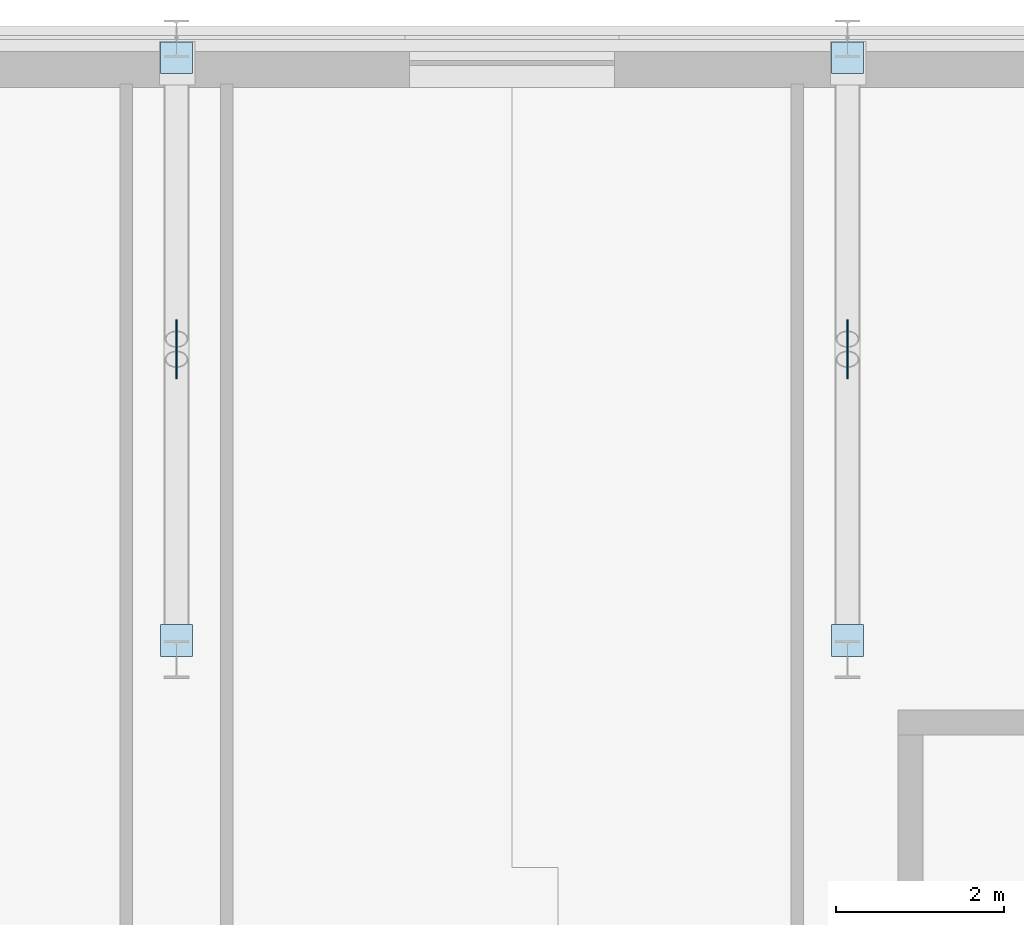
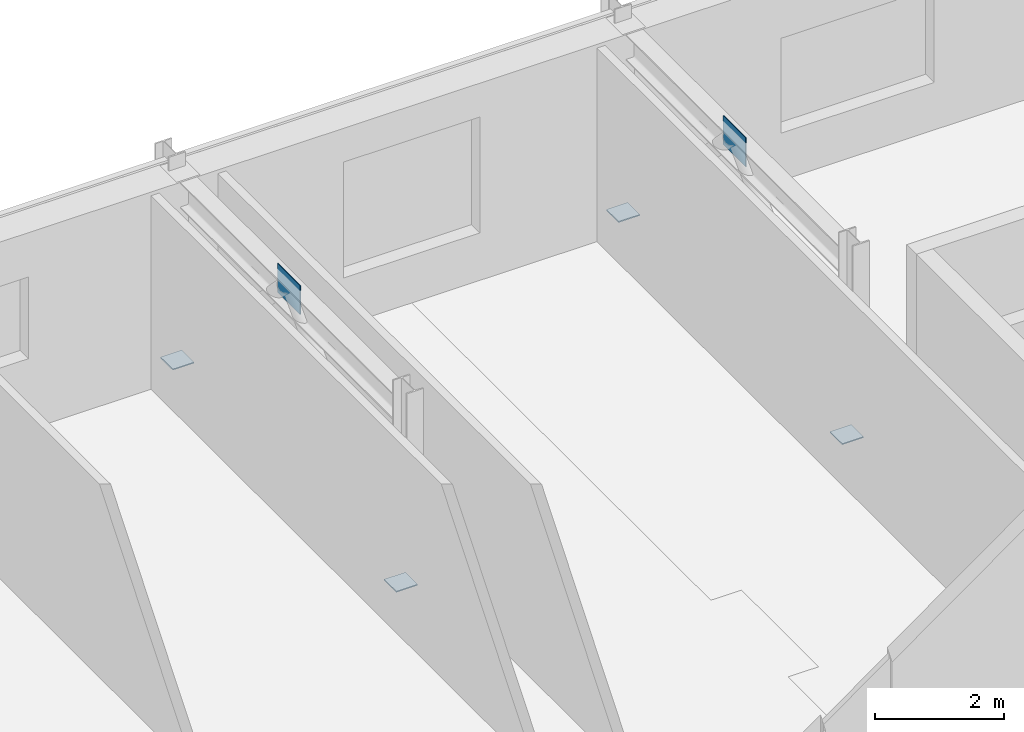
# One storey, part 36 of 56: 6 plates.
"""IFC4 building model written with IfcOpenShell, lengths in metres."""

from ifc_helpers import new_model, si_unit, direction, frame, origin, origin_2d, place, context, subcontext, project, spatial, rectangle, extrude, material, layer, layer_set, type_object, element, save


model = new_model("IFC4")

# Units and contexts
model_context = context("Model", 3, precision=1e-05, world=origin(), true_north=direction((0.0, 1.0)))
body_context = subcontext(model_context, "Body", "Model", "MODEL_VIEW")
ifc_project = project(units=[si_unit("LENGTHUNIT", "METRE"), si_unit("AREAUNIT", "SQUARE_METRE"), si_unit("VOLUMEUNIT", "CUBIC_METRE"), si_unit("PLANEANGLEUNIT", "RADIAN"), si_unit("MASSUNIT", "GRAM", prefix="KILO")], contexts=[model_context])

# Site, building, storey
site_placement = place(None, origin())
site = spatial("IfcSite", under=ifc_project, at=site_placement, CompositionType="ELEMENT")
building_placement = place(site_placement, origin())
building = spatial("IfcBuilding", under=site, at=building_placement, Name="Valkorina Park Police Headquarters", CompositionType="ELEMENT")
storey_placement = place(building_placement, frame((0.0, 0.0, 14.10009765625)))
storey = spatial("IfcBuildingStorey", under=building, at=storey_placement, Name="L04", CompositionType="ELEMENT", Elevation=14.10009765625)

# Plates
ifc_material = material(Name="Steel S355", Category="steel")
ifc_layer_1 = layer(ifc_material, 0.02001953125)
ifc_layer_set_1 = layer_set([ifc_layer_1], Name="Steel S355")
plate_type_1 = type_object("IfcPlateType", Name="PL-ENDCAP-20", PredefinedType="USERDEFINED", material=ifc_layer_set_1)
for number, where, z_axis, x_axis, name in (
    (1, (104.800048828125, 74.22509765625, 0.08984375), (0.0, 0.0, 1.0), (1.0, 0.0, 0.0), "Brace Base End Cap Plate 232"),
    (2, (104.800048828125, 81.175048828125, 0.08984375), (0.0, 0.0, 1.0), (1.0, 0.0, 0.0), "Brace Base End Cap Plate 233"),
    (3, (112.800048828125, 74.22509765625, 0.08984375), (0.0, 0.0, 1.0), (1.0, 0.0, 0.0), "Brace Base End Cap Plate 247"),
    (4, (112.800048828125, 81.175048828125, 0.08984375), (0.0, 0.0, 1.0), (1.0, 0.0, 0.0), "Brace Base End Cap Plate 248"),
):
    element("IfcPlate", number, at=place(storey_placement, frame(where, z_axis=z_axis, x_axis=x_axis)), inside=storey, type_object=plate_type_1, Name=name, ObjectType="END CAP PLATE", PredefinedType="USERDEFINED", context=body_context, shape_type="SweptSolid", body=[
        extrude(rectangle(XDim=0.3798828125, YDim=0.3798828125, at=origin_2d()), origin(), (0.0, 0.0, 1.0), 0.02001953125),
    ])
ifc_layer_2 = layer(ifc_material, 0.01611328125)
ifc_layer_set_2 = layer_set([ifc_layer_2], Name="Steel S355")
plate_type_2 = type_object("IfcPlateType", Name="PL-GUSSET-16", PredefinedType="USERDEFINED", material=ifc_layer_set_2)
for number, where, z_axis, x_axis, name in (
    (5, (104.800048828125, 77.699951171875, 3.28466796875), (0.0, 0.0, 1.0), (1.0, 0.0, 0.0), "Chevron Apex Gusset Plate CBF-26 234"),
    (6, (112.800048828125, 77.699951171875, 3.28466796875), (0.0, 0.0, 1.0), (1.0, 0.0, 0.0), "Chevron Apex Gusset Plate CBF-36 249"),
):
    element("IfcPlate", number, at=place(storey_placement, frame(where, z_axis=z_axis, x_axis=x_axis)), inside=storey, type_object=plate_type_2, Name=name, ObjectType="GUSSET PLATE", PredefinedType="USERDEFINED", context=body_context, shape_type="SweptSolid", body=[
        extrude(rectangle(XDim=0.01611328125, YDim=0.699951171875, at=origin_2d()), origin(), (0.0, 0.0, 1.0), 0.550048828125),
    ])

save(model, "model.ifc")
